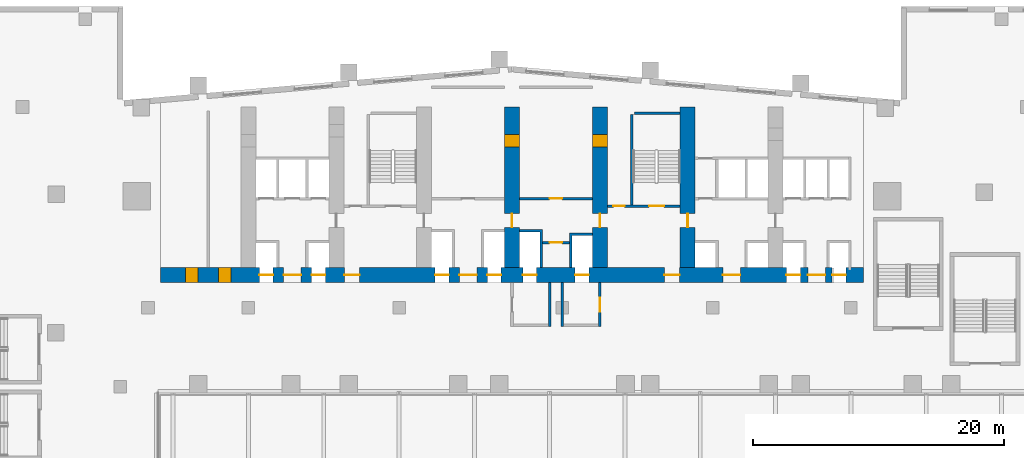
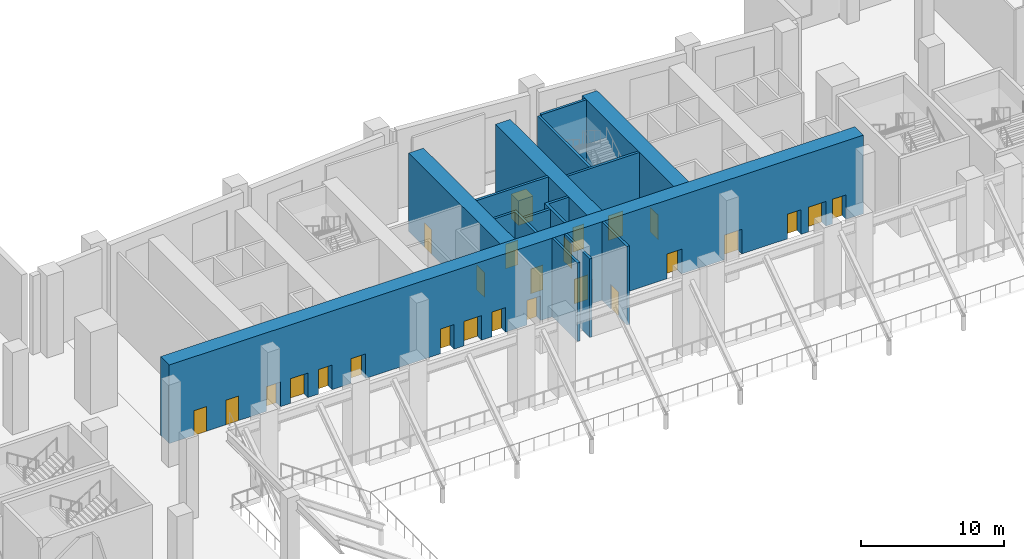
# One storey, part 25 of 41: 26 doors, 14 walls, 26 openings.
"""IFC4 building model written with IfcOpenShell, lengths in metres."""

import ifcopenshell
import ifcopenshell.guid

model = None  # the IFC model being written
_history = None  # IfcOwnerHistory: only IFC2X3 demands one
_inside = {}  # id of a spatial element -> (the spatial element, [elements in it])
_under = {}  # id of a project, library or spatial element -> (it, [spatial elements below it])
_declared = {}  # id of a project -> (the project, [libraries it declares])
_typed = {}  # id of a type object -> (the type object, [elements of that type])
_made_of = {}  # id of a material, layer set ... -> (it, [elements and type objects made of it])


def new_model(schema):
    """Start an empty IFC model of exactly this schema.

    Asked for "IFC4X3", IfcOpenShell would pick the latest addendum, in which some entities
    have other attributes; the version numbers below select the first issue.
    IFC2X3 requires an IfcOwnerHistory on every rooted entity: one is made here for all.
    """
    global model, _history
    if schema == "IFC4X3":
        model = ifcopenshell.file(schema_version=(4, 3, 0, 0))
    else:
        model = ifcopenshell.file(schema=schema)
    _inside.clear()
    _under.clear()
    _declared.clear()
    _typed.clear()
    _made_of.clear()
    _history = None
    if model.schema == "IFC2X3":
        org = make("IfcOrganization", Name="unknown")
        user = make(
            "IfcPersonAndOrganization",
            ThePerson=make("IfcPerson", FamilyName="unknown"),
            TheOrganization=org,
        )
        app = make(
            "IfcApplication",
            ApplicationDeveloper=org,
            Version="unknown",
            ApplicationFullName="unknown",
            ApplicationIdentifier="unknown",
        )
        _history = make(
            "IfcOwnerHistory",
            OwningUser=user,
            OwningApplication=app,
            ChangeAction="ADDED",
            CreationDate=0,
        )
    return model


def make(cls, **values):
    """One entity of the class cls with the attributes given. An attribute that is None is left unset."""
    return model.create_entity(
        cls, **{name: value for name, value in values.items() if value is not None}
    )


def rooted(cls, **values):
    """An entity with a GlobalId (a new one), such as an element, a storey or a relation."""
    return make(cls, GlobalId=ifcopenshell.guid.new(), OwnerHistory=_history, **values)


def si_unit(unit_type, name, prefix=None):
    """IfcSIUnit, for example si_unit("LENGTHUNIT", "METRE", prefix="MILLI")."""
    return make("IfcSIUnit", UnitType=unit_type, Prefix=prefix, Name=name)


def assignment(units):
    """IfcUnitAssignment: the units of a project."""
    return None if units is None else make("IfcUnitAssignment", Units=units)


def point(xyz):
    """IfcCartesianPoint."""
    return None if xyz is None else make("IfcCartesianPoint", Coordinates=xyz)


def direction(xyz):
    """IfcDirection."""
    return None if xyz is None else make("IfcDirection", DirectionRatios=xyz)


def frame(location, z_axis=None, x_axis=None):
    """IfcAxis2Placement3D, a coordinate frame: its origin and axes. An axis left out is left unset."""
    return make(
        "IfcAxis2Placement3D",
        Location=point(location),
        Axis=direction(z_axis),
        RefDirection=direction(x_axis),
    )


def frame_2d(location, x_axis=None):
    """IfcAxis2Placement2D, a coordinate frame in the plane: its origin and x axis."""
    return make(
        "IfcAxis2Placement2D", Location=point(location), RefDirection=direction(x_axis)
    )


def origin():
    """The frame at (0, 0, 0) with its axes left unset."""
    return frame((0.0, 0.0, 0.0))


def place(relative_to, where):
    """IfcLocalPlacement: puts the frame where relative to a parent placement (None: the world)."""
    return make(
        "IfcLocalPlacement", PlacementRelTo=relative_to, RelativePlacement=where
    )


def context(
    kind, dimensions, precision=None, world=None, true_north=None, identifier=None
):
    """IfcGeometricRepresentationContext, for example the 3D "Model" context."""
    return make(
        "IfcGeometricRepresentationContext",
        ContextIdentifier=identifier,
        ContextType=kind,
        CoordinateSpaceDimension=dimensions,
        Precision=precision,
        WorldCoordinateSystem=world,
        TrueNorth=true_north,
    )


def subcontext(parent, identifier, kind, view, scale=None):
    """IfcGeometricRepresentationSubContext, for example "Body" below "Model"."""
    return make(
        "IfcGeometricRepresentationSubContext",
        ContextIdentifier=identifier,
        ContextType=kind,
        ParentContext=parent,
        TargetScale=scale,
        TargetView=view,
    )


def project(units=None, contexts=None):
    """IfcProject with its units and contexts."""
    return rooted(
        "IfcProject",
        Name="project",
        RepresentationContexts=contexts,
        UnitsInContext=assignment(units),
    )


def spatial(cls, under=None, at=None, **own):
    """A site, building, storey or space (cls), placed at a placement, below another one or the project."""
    s = rooted(cls, ObjectPlacement=at, **own)
    if under is not None:
        _under.setdefault(under.id(), (under, []))[1].append(s)
    return s


def polyline(points):
    """IfcPolyline through the points."""
    return make("IfcPolyline", Points=[point(p) for p in points])


def profile(cls, at=None, kind="AREA", **sizes):
    """A parametric profile (cls). Its sizes go by their IFC names, for example OverallWidth=200.0."""
    return make(cls, ProfileType=kind, Position=at, **sizes)


def rectangle(**sizes):
    """IfcRectangleProfileDef."""
    return profile("IfcRectangleProfileDef", **sizes)


def outline(outer, holes=None, kind="AREA"):
    """IfcArbitraryClosedProfileDef: a profile drawn as a closed curve; with holes, ...WithVoids."""
    if holes is None:
        return make("IfcArbitraryClosedProfileDef", ProfileType=kind, OuterCurve=outer)
    return make(
        "IfcArbitraryProfileDefWithVoids",
        ProfileType=kind,
        OuterCurve=outer,
        InnerCurves=holes,
    )


def extrude(swept, where, along, depth):
    """IfcExtrudedAreaSolid: the profile swept, set in the frame where, extruded along a direction by depth."""
    return make(
        "IfcExtrudedAreaSolid",
        SweptArea=swept,
        Position=where,
        ExtrudedDirection=direction(along),
        Depth=depth,
    )


def shape(context_of_items, identifier, shape_type, items):
    """IfcShapeRepresentation: the items that make up one representation, for example the "Body"."""
    return make(
        "IfcShapeRepresentation",
        ContextOfItems=context_of_items,
        RepresentationIdentifier=identifier,
        RepresentationType=shape_type,
        Items=items,
    )


def material(Name=None, Category=None):
    """IfcMaterial."""
    return make("IfcMaterial", Name=Name, Category=Category)


def layer(
    of_material, thickness, ventilated=None, Name=None, Category=None, Priority=None
):
    """IfcMaterialLayer: one layer of a wall or slab, of a material (None: an air gap)."""
    return make(
        "IfcMaterialLayer",
        Material=of_material,
        LayerThickness=thickness,
        IsVentilated=ventilated,
        Name=Name,
        Category=Category,
        Priority=Priority,
    )


def layer_set(layers, Name=None):
    """IfcMaterialLayerSet."""
    return make("IfcMaterialLayerSet", MaterialLayers=layers, LayerSetName=Name)


def made_of(thing, what):
    """Note that an element or type object is made of a material, layer set ...; save() writes the relation."""
    if what is not None:
        _made_of.setdefault(what.id(), (what, []))[1].append(thing)
    return thing


def type_object(cls, material=None, **own):
    """A type object (cls), such as IfcWallType, which elements share."""
    return made_of(rooted(cls, **own), material)


def element(
    cls,
    number,
    at=None,
    inside=None,
    cuts=None,
    type_object=None,
    material=None,
    context=None,
    identifier="Body",
    shape_type=None,
    held_by="IfcProductDefinitionShape",
    body=None,
    shapes=None,
    **own,
):
    """One element of the class cls, such as IfcWall. Its Tag is "e" and its number.

    at: its placement. inside: the storey or other place that contains it. cuts: it is an
    opening in that element (IfcRelVoidsElement). A single representation is given by context,
    identifier, shape_type and body (its items); several are given by shapes. held_by: the class
    of the entity that holds the representations. save() writes the other relations.
    """
    e = rooted(cls, Tag="e%d" % number, ObjectPlacement=at, **own)
    if body is not None:
        shapes = [shape(context, identifier, shape_type, body)]
    if shapes is not None:
        e.Representation = make(held_by, Representations=shapes)
    if inside is not None:
        _inside.setdefault(inside.id(), (inside, []))[1].append(e)
    if cuts is not None:
        rooted(
            "IfcRelVoidsElement", RelatingBuildingElement=cuts, RelatedOpeningElement=e
        )
    if type_object is not None:
        _typed.setdefault(type_object.id(), (type_object, []))[1].append(e)
    return made_of(e, material)


def fill(opening, filler):
    """IfcRelFillsElement: the door or window that sits in an opening."""
    return rooted(
        "IfcRelFillsElement",
        RelatingOpeningElement=opening,
        RelatedBuildingElement=filler,
    )


def aggregate(whole, parts):
    """IfcRelAggregates: a whole, such as a stair, and the parts it consists of."""
    return rooted("IfcRelAggregates", RelatingObject=whole, RelatedObjects=parts)


def save(model, path):
    """Write the relations noted so far, then the file.

    IfcRelAggregates (storeys below a building ...), IfcRelContainedInSpatialStructure (elements
    in a storey), IfcRelDefinesByType, IfcRelAssociatesMaterial and IfcRelDeclares: one each for
    every whole, place, type object, material and project.
    """
    for whole, parts in _under.values():
        aggregate(whole, parts)
    for where, things in _inside.values():
        rooted(
            "IfcRelContainedInSpatialStructure",
            RelatedElements=things,
            RelatingStructure=where,
        )
    for kind, things in _typed.values():
        rooted("IfcRelDefinesByType", RelatedObjects=things, RelatingType=kind)
    for what, things in _made_of.values():
        rooted("IfcRelAssociatesMaterial", RelatedObjects=things, RelatingMaterial=what)
    for by, libraries in _declared.values():
        rooted("IfcRelDeclares", RelatingContext=by, RelatedDefinitions=libraries)
    model.write(path)


model = new_model("IFC4")

# Units and contexts
model_context = context("Model", 3, precision=1e-05, world=origin(), true_north=direction((0.0, 1.0)))
body_context = subcontext(model_context, "Body", "Model", "MODEL_VIEW")
ifc_project = project(units=[si_unit("LENGTHUNIT", "METRE"), si_unit("AREAUNIT", "SQUARE_METRE"), si_unit("VOLUMEUNIT", "CUBIC_METRE"), si_unit("PLANEANGLEUNIT", "RADIAN"), si_unit("MASSUNIT", "GRAM", prefix="KILO")], contexts=[model_context])

# Site, building, storey
site_placement = place(None, origin())
site = spatial("IfcSite", under=ifc_project, at=site_placement, CompositionType="ELEMENT")
building_placement = place(site_placement, origin())
building = spatial("IfcBuilding", under=site, at=building_placement, Name="Wharfspan Tower", CompositionType="ELEMENT")
storey_placement = place(building_placement, frame((0.0, 0.0, 8.0)))
storey = spatial("IfcBuildingStorey", under=building, at=storey_placement, Name="L01", CompositionType="ELEMENT", Elevation=8.0)

# Wall, opening, door
ifc_material_1 = material(Name="Calcium silicate masonry", Category="masonry")
ifc_layer_1 = layer(ifc_material_1, 0.199951)
ifc_layer_set_1 = layer_set([ifc_layer_1], Name="Calcium silicate masonry")
wall_type_1 = type_object("IfcWallType", Name="Core room wall 200", PredefinedType="PARTITIONING", material=ifc_layer_set_1)
wall_1_placement = place(storey_placement, frame((39.43335, 37.199951, 0.0), z_axis=(0.0, 0.0, 1.0), x_axis=(1.0, 0.0, 0.0)))
wall_1 = element("IfcWall", 1, at=wall_1_placement, inside=storey, type_object=wall_type_1, Name="sw:L01:FR4.2", PredefinedType="PARTITIONING", context=body_context, shape_type="SweptSolid", body=[
    extrude(rectangle(XDim=2.133301, YDim=0.199951, at=frame_2d((1.06665, 0.0))), origin(), (0.0, 0.0, 1.0), 6.699951),
])
opening_1_placement = place(wall_1_placement, frame((0.56665, 0.0, 0.0)))
opening_1 = element("IfcOpeningElement", 2, at=opening_1_placement, cuts=wall_1, Name="Opening CD01.4H2", PredefinedType="OPENING", context=body_context, shape_type="SweptSolid", body=[
    extrude(rectangle(XDim=1.0, YDim=2.100098, at=frame_2d((0.5, 1.050049))), frame((0.0, 0.109863, 0.0), z_axis=(0.0, -1.0, 0.0), x_axis=(1.0, 0.0, 0.0)), (0.0, 0.0, 1.0), 0.219971),
])
ifc_material_2 = material(Name="Steel door leaf", Category="steel")
door_type_1 = type_object("IfcDoorType", Name="Core room door 1000x2100", OperationType="SINGLE_SWING_LEFT", PredefinedType="DOOR", material=ifc_material_2)
door_1_placement = place(opening_1_placement, origin())
door_1 = element("IfcDoor", 3, at=door_1_placement, inside=storey, type_object=door_type_1, Name="d:L01:4:fh4.2", OperationType="SINGLE_SWING_RIGHT", OverallHeight=2.100098, OverallWidth=1.0, PredefinedType="DOOR", context=body_context, shape_type="SweptSolid", body=[
    extrude(rectangle(XDim=1.0, YDim=2.100098, at=frame_2d((0.5, 1.050049))), frame((0.0, 0.024902, 0.0), z_axis=(0.0, -1.0, 0.0), x_axis=(1.0, 0.0, 0.0)), (0.0, 0.0, 1.0), 0.050049),
])
fill(opening_1, door_1)

# Wall, openings, doors
ifc_material_3 = material(Name="Concrete C70/85", Category="concrete")
ifc_layer_2 = layer(ifc_material_3, 1.199951)
ifc_layer_set_2 = layer_set([ifc_layer_2], Name="Concrete C70/85")
wall_type_2 = type_object("IfcWallType", Name="Core wall fallback 1.2", PredefinedType="SHEAR", material=ifc_layer_set_2)
wall_2_placement = place(storey_placement, frame((9.0, 34.600098, 0.0), z_axis=(0.0, 0.0, 1.0), x_axis=(1.0, 0.0, 0.0)))
wall_2 = element("IfcWall", 4, at=wall_2_placement, inside=storey, type_object=wall_type_2, Name="cw:L01:FW", PredefinedType="SHEAR", context=body_context, shape_type="SweptSolid", body=[
    extrude(rectangle(XDim=56.0, YDim=1.199951, at=frame_2d((28.0, 0.0))), origin(), (0.0, 0.0, 1.0), 6.699951),
])
opening_2_placement = place(wall_2_placement, frame((2.0, 0.0, 0.0)))
opening_2 = element("IfcOpeningElement", 5, at=opening_2_placement, cuts=wall_2, Name="Opening CD01.01", PredefinedType="OPENING", context=body_context, shape_type="SweptSolid", body=[
    extrude(rectangle(XDim=1.0, YDim=2.100098, at=frame_2d((0.5, 1.050049))), frame((0.0, 0.609863, 0.0), z_axis=(0.0, -1.0, 0.0), x_axis=(1.0, 0.0, 0.0)), (0.0, 0.0, 1.0), 1.219971),
])
opening_3_placement = place(wall_2_placement, frame((4.600098, 0.0, 0.0)))
opening_3 = element("IfcOpeningElement", 6, at=opening_3_placement, cuts=wall_2, Name="Opening CD01.02", PredefinedType="OPENING", context=body_context, shape_type="SweptSolid", body=[
    extrude(rectangle(XDim=1.0, YDim=2.100098, at=frame_2d((0.5, 1.050049))), frame((0.0, 0.609863, 0.0), z_axis=(0.0, -1.0, 0.0), x_axis=(1.0, 0.0, 0.0)), (0.0, 0.0, 1.0), 1.219971),
])
opening_4_placement = place(wall_2_placement, frame((7.866699, 0.0, 0.0)))
opening_4 = element("IfcOpeningElement", 7, at=opening_4_placement, cuts=wall_2, Name="Opening LD.LA1.L01", PredefinedType="OPENING", context=body_context, shape_type="SweptSolid", body=[
    extrude(rectangle(XDim=1.100098, YDim=2.100098, at=frame_2d((0.550049, 1.050049))), frame((0.0, 0.609863, 0.0), z_axis=(0.0, -1.0, 0.0), x_axis=(1.0, 0.0, 0.0)), (0.0, 0.0, 1.0), 1.219971),
])
opening_5_placement = place(wall_2_placement, frame((12.033203, 0.0, 0.0)))
opening_5 = element("IfcOpeningElement", 8, at=opening_5_placement, cuts=wall_2, Name="Opening LD.LA2.L01", PredefinedType="OPENING", context=body_context, shape_type="SweptSolid", body=[
    extrude(rectangle(XDim=1.100098, YDim=2.100098, at=frame_2d((0.550049, 1.050049))), frame((0.0, 0.609863, 0.0), z_axis=(0.0, -1.0, 0.0), x_axis=(1.0, 0.0, 0.0)), (0.0, 0.0, 1.0), 1.219971),
])
opening_6_placement = place(wall_2_placement, frame((9.800049, 0.0, 0.0)))
opening_6 = element("IfcOpeningElement", 9, at=opening_6_placement, cuts=wall_2, Name="Opening HD01.1", PredefinedType="OPENING", context=body_context, shape_type="SweptSolid", body=[
    extrude(rectangle(XDim=1.399902, YDim=2.100098, at=frame_2d((0.699951, 1.050049))), frame((0.0, 0.609863, 0.0), z_axis=(0.0, -1.0, 0.0), x_axis=(1.0, 0.0, 0.0)), (0.0, 0.0, 1.0), 1.219971),
])
opening_7_placement = place(wall_2_placement, frame((14.649902, 0.0, 0.0)))
opening_7 = element("IfcOpeningElement", 10, at=opening_7_placement, cuts=wall_2, Name="Opening SV2.L01", PredefinedType="OPENING", context=body_context, shape_type="SweptSolid", body=[
    extrude(rectangle(XDim=1.199951, YDim=2.100098, at=frame_2d((0.600098, 1.050049))), frame((0.0, 0.609863, 0.0), z_axis=(0.0, -1.0, 0.0), x_axis=(1.0, 0.0, 0.0)), (0.0, 0.0, 1.0), 1.219971),
])
opening_8_placement = place(wall_2_placement, frame((21.866699, 0.0, 0.0)))
opening_8 = element("IfcOpeningElement", 11, at=opening_8_placement, cuts=wall_2, Name="Opening LD.SL1.L01", PredefinedType="OPENING", context=body_context, shape_type="SweptSolid", body=[
    extrude(rectangle(XDim=1.100098, YDim=2.100098, at=frame_2d((0.550049, 1.050049))), frame((0.0, 0.609863, 0.0), z_axis=(0.0, -1.0, 0.0), x_axis=(1.0, 0.0, 0.0)), (0.0, 0.0, 1.0), 1.219971),
])
opening_9_placement = place(wall_2_placement, frame((26.033203, 0.0, 0.0)))
opening_9 = element("IfcOpeningElement", 12, at=opening_9_placement, cuts=wall_2, Name="Opening LD.SL2.L01", PredefinedType="OPENING", context=body_context, shape_type="SweptSolid", body=[
    extrude(rectangle(XDim=1.100098, YDim=2.100098, at=frame_2d((0.550049, 1.050049))), frame((0.0, 0.609863, 0.0), z_axis=(0.0, -1.0, 0.0), x_axis=(1.0, 0.0, 0.0)), (0.0, 0.0, 1.0), 1.219971),
])
opening_10_placement = place(wall_2_placement, frame((23.800049, 0.0, 0.0)))
opening_10 = element("IfcOpeningElement", 13, at=opening_10_placement, cuts=wall_2, Name="Opening HD01.3", PredefinedType="OPENING", context=body_context, shape_type="SweptSolid", body=[
    extrude(rectangle(XDim=1.399902, YDim=2.100098, at=frame_2d((0.699951, 1.050049))), frame((0.0, 0.609863, 0.0), z_axis=(0.0, -1.0, 0.0), x_axis=(1.0, 0.0, 0.0)), (0.0, 0.0, 1.0), 1.219971),
])
opening_11_placement = place(wall_2_placement, frame((28.866699, 0.0, 0.0)))
opening_11 = element("IfcOpeningElement", 14, at=opening_11_placement, cuts=wall_2, Name="Opening LD.FF1.L01", PredefinedType="OPENING", context=body_context, shape_type="SweptSolid", body=[
    extrude(rectangle(XDim=1.100098, YDim=2.100098, at=frame_2d((0.550049, 1.050049))), frame((0.0, 0.609863, 0.0), z_axis=(0.0, -1.0, 0.0), x_axis=(1.0, 0.0, 0.0)), (0.0, 0.0, 1.0), 1.219971),
])
opening_12_placement = place(wall_2_placement, frame((33.033203, 0.0, 0.0)))
opening_12 = element("IfcOpeningElement", 15, at=opening_12_placement, cuts=wall_2, Name="Opening LD.FF2.L01", PredefinedType="OPENING", context=body_context, shape_type="SweptSolid", body=[
    extrude(rectangle(XDim=1.100098, YDim=2.100098, at=frame_2d((0.550049, 1.050049))), frame((0.0, 0.609863, 0.0), z_axis=(0.0, -1.0, 0.0), x_axis=(1.0, 0.0, 0.0)), (0.0, 0.0, 1.0), 1.219971),
])
opening_13_placement = place(wall_2_placement, frame((40.149902, 0.0, 0.0)))
opening_13 = element("IfcOpeningElement", 16, at=opening_13_placement, cuts=wall_2, Name="Opening SV5.L01", PredefinedType="OPENING", context=body_context, shape_type="SweptSolid", body=[
    extrude(rectangle(XDim=1.199951, YDim=2.100098, at=frame_2d((0.600098, 1.050049))), frame((0.0, 0.609863, 0.0), z_axis=(0.0, -1.0, 0.0), x_axis=(1.0, 0.0, 0.0)), (0.0, 0.0, 1.0), 1.219971),
])
opening_14_placement = place(wall_2_placement, frame((44.800049, 0.0, 0.0)))
opening_14 = element("IfcOpeningElement", 17, at=opening_14_placement, cuts=wall_2, Name="Opening HD01.6", PredefinedType="OPENING", context=body_context, shape_type="SweptSolid", body=[
    extrude(rectangle(XDim=1.399902, YDim=2.100098, at=frame_2d((0.699951, 1.050049))), frame((0.0, 0.609863, 0.0), z_axis=(0.0, -1.0, 0.0), x_axis=(1.0, 0.0, 0.0)), (0.0, 0.0, 1.0), 1.219971),
])
opening_15_placement = place(wall_2_placement, frame((49.866699, 0.0, 0.0)))
opening_15 = element("IfcOpeningElement", 18, at=opening_15_placement, cuts=wall_2, Name="Opening LD.LA6.L01", PredefinedType="OPENING", context=body_context, shape_type="SweptSolid", body=[
    extrude(rectangle(XDim=1.100098, YDim=2.100098, at=frame_2d((0.550049, 1.050049))), frame((0.0, 0.609863, 0.0), z_axis=(0.0, -1.0, 0.0), x_axis=(1.0, 0.0, 0.0)), (0.0, 0.0, 1.0), 1.219971),
])
opening_16_placement = place(wall_2_placement, frame((53.5, 0.0, 0.0)))
opening_16 = element("IfcOpeningElement", 19, at=opening_16_placement, cuts=wall_2, Name="Opening LD.LA7.L01", PredefinedType="OPENING", context=body_context, shape_type="SweptSolid", body=[
    extrude(rectangle(XDim=1.100098, YDim=2.100098, at=frame_2d((0.550049, 1.050049))), frame((0.0, 0.609863, 0.0), z_axis=(0.0, -1.0, 0.0), x_axis=(1.0, 0.0, 0.0)), (0.0, 0.0, 1.0), 1.219971),
])
opening_17_placement = place(wall_2_placement, frame((51.56665, 0.0, 0.0)))
opening_17 = element("IfcOpeningElement", 20, at=opening_17_placement, cuts=wall_2, Name="Opening HD01.7", PredefinedType="OPENING", context=body_context, shape_type="SweptSolid", body=[
    extrude(rectangle(XDim=1.399902, YDim=2.100098, at=frame_2d((0.699951, 1.050049))), frame((0.0, 0.609863, 0.0), z_axis=(0.0, -1.0, 0.0), x_axis=(1.0, 0.0, 0.0)), (0.0, 0.0, 1.0), 1.219971),
])
door_2_placement = place(opening_2_placement, origin())
door_2 = element("IfcDoor", 21, at=door_2_placement, inside=storey, type_object=door_type_1, Name="d:L01:0:rf", OperationType="SINGLE_SWING_LEFT", OverallHeight=2.100098, OverallWidth=1.0, PredefinedType="DOOR", context=body_context, shape_type="SweptSolid", body=[
    extrude(rectangle(XDim=1.0, YDim=2.100098, at=frame_2d((0.5, 1.050049))), frame((0.0, 0.599609, 0.0), z_axis=(0.0, -1.0, 0.0), x_axis=(1.0, 0.0, 0.0)), (0.0, 0.0, 1.0), 1.199463),
])
fill(opening_2, door_2)
door_3_placement = place(opening_3_placement, origin())
door_3 = element("IfcDoor", 22, at=door_3_placement, inside=storey, type_object=door_type_1, Name="d:L01:0:rr", OperationType="SINGLE_SWING_RIGHT", OverallHeight=2.100098, OverallWidth=1.0, PredefinedType="DOOR", context=body_context, shape_type="SweptSolid", body=[
    extrude(rectangle(XDim=1.0, YDim=2.100098, at=frame_2d((0.5, 1.050049))), frame((0.0, 0.599609, 0.0), z_axis=(0.0, -1.0, 0.0), x_axis=(1.0, 0.0, 0.0)), (0.0, 0.0, 1.0), 1.199463),
])
fill(opening_3, door_3)
door_type_2 = type_object("IfcDoorType", Name="Hall entry door 1400x2100", OperationType="DOUBLE_DOOR_SINGLE_SWING", PredefinedType="DOOR", material=ifc_material_2)
door_4_placement = place(opening_6_placement, origin())
door_4 = element("IfcDoor", 23, at=door_4_placement, inside=storey, type_object=door_type_2, Name="d:L01:1:hd1", OperationType="DOUBLE_DOOR_SINGLE_SWING", OverallHeight=2.100098, OverallWidth=1.399902, PredefinedType="DOOR", context=body_context, shape_type="SweptSolid", body=[
    extrude(rectangle(XDim=1.399902, YDim=2.100098, at=frame_2d((0.699951, 1.050049))), frame((0.0, 0.024902, 0.0), z_axis=(0.0, -1.0, 0.0), x_axis=(1.0, 0.0, 0.0)), (0.0, 0.0, 1.0), 0.050049),
])
fill(opening_6, door_4)
door_5_placement = place(opening_10_placement, origin())
door_5 = element("IfcDoor", 24, at=door_5_placement, inside=storey, type_object=door_type_2, Name="d:L01:3:hd3", OperationType="DOUBLE_DOOR_SINGLE_SWING", OverallHeight=2.100098, OverallWidth=1.399902, PredefinedType="DOOR", context=body_context, shape_type="SweptSolid", body=[
    extrude(rectangle(XDim=1.399902, YDim=2.100098, at=frame_2d((0.699951, 1.050049))), frame((0.0, 0.024902, 0.0), z_axis=(0.0, -1.0, 0.0), x_axis=(1.0, 0.0, 0.0)), (0.0, 0.0, 1.0), 0.050049),
])
fill(opening_10, door_5)
door_6_placement = place(opening_14_placement, origin())
door_6 = element("IfcDoor", 25, at=door_6_placement, inside=storey, type_object=door_type_2, Name="d:L01:6:hd6", OperationType="DOUBLE_DOOR_SINGLE_SWING", OverallHeight=2.100098, OverallWidth=1.399902, PredefinedType="DOOR", context=body_context, shape_type="SweptSolid", body=[
    extrude(rectangle(XDim=1.399902, YDim=2.100098, at=frame_2d((0.699951, 1.050049))), frame((0.0, 0.024902, 0.0), z_axis=(0.0, -1.0, 0.0), x_axis=(1.0, 0.0, 0.0)), (0.0, 0.0, 1.0), 0.050049),
])
fill(opening_14, door_6)
door_7_placement = place(opening_17_placement, origin())
door_7 = element("IfcDoor", 26, at=door_7_placement, inside=storey, type_object=door_type_2, Name="d:L01:7:hd7", OperationType="DOUBLE_DOOR_SINGLE_SWING", OverallHeight=2.100098, OverallWidth=1.399902, PredefinedType="DOOR", context=body_context, shape_type="SweptSolid", body=[
    extrude(rectangle(XDim=1.399902, YDim=2.100098, at=frame_2d((0.699951, 1.050049))), frame((0.0, 0.024902, 0.0), z_axis=(0.0, -1.0, 0.0), x_axis=(1.0, 0.0, 0.0)), (0.0, 0.0, 1.0), 0.050049),
])
fill(opening_17, door_7)
ifc_material_4 = material(Name="Stainless steel", Category="steel")
door_type_3 = type_object("IfcDoorType", Name="Lift landing door 1100x2100", OperationType="DOUBLE_DOOR_SLIDING", PredefinedType="DOOR", material=ifc_material_4)
door_8_placement = place(opening_4_placement, origin())
door_8 = element("IfcDoor", 27, at=door_8_placement, inside=storey, type_object=door_type_3, Name="Landing door LA1 L01", OperationType="DOUBLE_DOOR_SLIDING", OverallHeight=2.100098, OverallWidth=1.100098, PredefinedType="DOOR", context=body_context, shape_type="SweptSolid", body=[
    extrude(rectangle(XDim=1.100098, YDim=2.100098, at=frame_2d((0.550049, 1.050049))), frame((0.0, 0.024902, 0.0), z_axis=(0.0, -1.0, 0.0), x_axis=(1.0, 0.0, 0.0)), (0.0, 0.0, 1.0), 0.050049),
])
fill(opening_4, door_8)
door_9_placement = place(opening_5_placement, origin())
door_9 = element("IfcDoor", 28, at=door_9_placement, inside=storey, type_object=door_type_3, Name="Landing door LA2 L01", OperationType="DOUBLE_DOOR_SLIDING", OverallHeight=2.100098, OverallWidth=1.100098, PredefinedType="DOOR", context=body_context, shape_type="SweptSolid", body=[
    extrude(rectangle(XDim=1.100098, YDim=2.100098, at=frame_2d((0.550049, 1.050049))), frame((0.0, 0.024902, 0.0), z_axis=(0.0, -1.0, 0.0), x_axis=(1.0, 0.0, 0.0)), (0.0, 0.0, 1.0), 0.050049),
])
fill(opening_5, door_9)
door_10_placement = place(opening_8_placement, origin())
door_10 = element("IfcDoor", 29, at=door_10_placement, inside=storey, type_object=door_type_3, Name="Landing door SL1 L01", OperationType="DOUBLE_DOOR_SLIDING", OverallHeight=2.100098, OverallWidth=1.100098, PredefinedType="DOOR", context=body_context, shape_type="SweptSolid", body=[
    extrude(rectangle(XDim=1.100098, YDim=2.100098, at=frame_2d((0.550049, 1.050049))), frame((0.0, 0.024902, 0.0), z_axis=(0.0, -1.0, 0.0), x_axis=(1.0, 0.0, 0.0)), (0.0, 0.0, 1.0), 0.050049),
])
fill(opening_8, door_10)
door_11_placement = place(opening_9_placement, origin())
door_11 = element("IfcDoor", 30, at=door_11_placement, inside=storey, type_object=door_type_3, Name="Landing door SL2 L01", OperationType="DOUBLE_DOOR_SLIDING", OverallHeight=2.100098, OverallWidth=1.100098, PredefinedType="DOOR", context=body_context, shape_type="SweptSolid", body=[
    extrude(rectangle(XDim=1.100098, YDim=2.100098, at=frame_2d((0.550049, 1.050049))), frame((0.0, 0.024902, 0.0), z_axis=(0.0, -1.0, 0.0), x_axis=(1.0, 0.0, 0.0)), (0.0, 0.0, 1.0), 0.050049),
])
fill(opening_9, door_11)
door_12_placement = place(opening_11_placement, origin())
door_12 = element("IfcDoor", 31, at=door_12_placement, inside=storey, type_object=door_type_3, Name="Landing door FF1 L01", OperationType="DOUBLE_DOOR_SLIDING", OverallHeight=2.100098, OverallWidth=1.100098, PredefinedType="DOOR", context=body_context, shape_type="SweptSolid", body=[
    extrude(rectangle(XDim=1.100098, YDim=2.100098, at=frame_2d((0.550049, 1.050049))), frame((0.0, 0.024902, 0.0), z_axis=(0.0, -1.0, 0.0), x_axis=(1.0, 0.0, 0.0)), (0.0, 0.0, 1.0), 0.050049),
])
fill(opening_11, door_12)
door_13_placement = place(opening_12_placement, origin())
door_13 = element("IfcDoor", 32, at=door_13_placement, inside=storey, type_object=door_type_3, Name="Landing door FF2 L01", OperationType="DOUBLE_DOOR_SLIDING", OverallHeight=2.100098, OverallWidth=1.100098, PredefinedType="DOOR", context=body_context, shape_type="SweptSolid", body=[
    extrude(rectangle(XDim=1.100098, YDim=2.100098, at=frame_2d((0.550049, 1.050049))), frame((0.0, 0.024902, 0.0), z_axis=(0.0, -1.0, 0.0), x_axis=(1.0, 0.0, 0.0)), (0.0, 0.0, 1.0), 0.050049),
])
fill(opening_12, door_13)
door_14_placement = place(opening_15_placement, origin())
door_14 = element("IfcDoor", 33, at=door_14_placement, inside=storey, type_object=door_type_3, Name="Landing door LA6 L01", OperationType="DOUBLE_DOOR_SLIDING", OverallHeight=2.100098, OverallWidth=1.100098, PredefinedType="DOOR", context=body_context, shape_type="SweptSolid", body=[
    extrude(rectangle(XDim=1.100098, YDim=2.100098, at=frame_2d((0.550049, 1.050049))), frame((0.0, 0.024902, 0.0), z_axis=(0.0, -1.0, 0.0), x_axis=(1.0, 0.0, 0.0)), (0.0, 0.0, 1.0), 0.050049),
])
fill(opening_15, door_14)
door_15_placement = place(opening_16_placement, origin())
door_15 = element("IfcDoor", 34, at=door_15_placement, inside=storey, type_object=door_type_3, Name="Landing door LA7 L01", OperationType="DOUBLE_DOOR_SLIDING", OverallHeight=2.100098, OverallWidth=1.100098, PredefinedType="DOOR", context=body_context, shape_type="SweptSolid", body=[
    extrude(rectangle(XDim=1.100098, YDim=2.100098, at=frame_2d((0.550049, 1.050049))), frame((0.0, 0.024902, 0.0), z_axis=(0.0, -1.0, 0.0), x_axis=(1.0, 0.0, 0.0)), (0.0, 0.0, 1.0), 0.050049),
])
fill(opening_16, door_15)
door_type_4 = type_object("IfcDoorType", Name="Stair door 1200x2100", OperationType="SINGLE_SWING_LEFT", PredefinedType="DOOR", material=ifc_material_2)
door_16_placement = place(opening_7_placement, origin())
door_16 = element("IfcDoor", 35, at=door_16_placement, inside=storey, type_object=door_type_4, Name="vd:L01:2", OperationType="SINGLE_SWING_LEFT", OverallHeight=2.100098, OverallWidth=1.199951, PredefinedType="DOOR", context=body_context, shape_type="SweptSolid", body=[
    extrude(rectangle(XDim=1.199951, YDim=2.100098, at=frame_2d((0.600098, 1.050049))), frame((0.0, 0.024902, 0.0), z_axis=(0.0, -1.0, 0.0), x_axis=(1.0, 0.0, 0.0)), (0.0, 0.0, 1.0), 0.050049),
])
fill(opening_7, door_16)
door_17_placement = place(opening_13_placement, origin())
door_17 = element("IfcDoor", 36, at=door_17_placement, inside=storey, type_object=door_type_4, Name="vd:L01:5", OperationType="SINGLE_SWING_LEFT", OverallHeight=2.100098, OverallWidth=1.199951, PredefinedType="DOOR", context=body_context, shape_type="SweptSolid", body=[
    extrude(rectangle(XDim=1.199951, YDim=2.100098, at=frame_2d((0.600098, 1.050049))), frame((0.0, 0.024902, 0.0), z_axis=(0.0, -1.0, 0.0), x_axis=(1.0, 0.0, 0.0)), (0.0, 0.0, 1.0), 0.050049),
])
fill(opening_13, door_17)

wall_3_placement = place(storey_placement, frame((37.0, 35.199951, 0.0), z_axis=(0.0, 0.0, 1.0), x_axis=(0.0, 1.0, 0.0)))
wall_3 = element("IfcWall", 37, at=wall_3_placement, inside=storey, type_object=wall_type_2, Name="cw:L01:X4", PredefinedType="SHEAR", context=body_context, shape_type="SweptSolid", body=[
    extrude(rectangle(XDim=12.800049, YDim=1.199951, at=frame_2d((6.399902, 0.0))), origin(), (0.0, 0.0, 1.0), 6.699951),
])
opening_18_placement = place(wall_3_placement, frame((3.199951, 0.0, 0.0)))
opening_18 = element("IfcOpeningElement", 38, at=opening_18_placement, cuts=wall_3, Name="Opening CC01.4", PredefinedType="OPENING", context=body_context, shape_type="SweptSolid", body=[
    extrude(rectangle(XDim=1.100098, YDim=2.100098, at=frame_2d((0.550049, 1.050049))), frame((0.0, 0.609863, 0.0), z_axis=(0.0, -1.0, 0.0), x_axis=(1.0, 0.0, 0.0)), (0.0, 0.0, 1.0), 1.219971),
])
opening_19_placement = place(wall_3_placement, frame((9.600098, 0.0, 0.0)))
opening_19 = element("IfcOpeningElement", 39, at=opening_19_placement, cuts=wall_3, Name="Opening CR01.4", PredefinedType="OPENING", context=body_context, shape_type="SweptSolid", body=[
    extrude(rectangle(XDim=1.0, YDim=2.100098, at=frame_2d((0.5, 1.050049))), frame((0.0, 0.609863, 0.0), z_axis=(0.0, -1.0, 0.0), x_axis=(1.0, 0.0, 0.0)), (0.0, 0.0, 1.0), 1.219971),
])
door_type_5 = type_object("IfcDoorType", Name="Core corridor door 1100x2100", OperationType="SINGLE_SWING_LEFT", PredefinedType="DOOR", material=ifc_material_2)
door_18_placement = place(opening_18_placement, origin())
door_18 = element("IfcDoor", 40, at=door_18_placement, inside=storey, type_object=door_type_5, Name="xd:L01:4", OperationType="SINGLE_SWING_RIGHT", OverallHeight=2.100098, OverallWidth=1.100098, PredefinedType="DOOR", context=body_context, shape_type="SweptSolid", body=[
    extrude(rectangle(XDim=1.100098, YDim=2.100098, at=frame_2d((0.550049, 1.050049))), frame((0.0, 0.024902, 0.0), z_axis=(0.0, -1.0, 0.0), x_axis=(1.0, 0.0, 0.0)), (0.0, 0.0, 1.0), 0.050049),
])
fill(opening_18, door_18)
door_19_placement = place(opening_19_placement, origin())
door_19 = element("IfcDoor", 41, at=door_19_placement, inside=storey, type_object=door_type_1, Name="xr:L01:4", OperationType="SINGLE_SWING_RIGHT", OverallHeight=2.100098, OverallWidth=1.0, PredefinedType="DOOR", context=body_context, shape_type="SweptSolid", body=[
    extrude(rectangle(XDim=1.0, YDim=2.100098, at=frame_2d((0.5, 1.050049))), frame((0.0, 0.599609, 0.0), z_axis=(0.0, -1.0, 0.0), x_axis=(1.0, 0.0, 0.0)), (0.0, 0.0, 1.0), 1.199463),
])
fill(opening_19, door_19)

wall_4_placement = place(storey_placement, frame((44.0, 35.199951, 0.0), z_axis=(0.0, 0.0, 1.0), x_axis=(0.0, 1.0, 0.0)))
wall_4 = element("IfcWall", 42, at=wall_4_placement, inside=storey, type_object=wall_type_2, Name="cw:L01:X5", PredefinedType="SHEAR", context=body_context, shape_type="SweptSolid", body=[
    extrude(rectangle(XDim=12.800049, YDim=1.199951, at=frame_2d((6.399902, 0.0))), origin(), (0.0, 0.0, 1.0), 6.699951),
])
opening_20_placement = place(wall_4_placement, frame((3.199951, 0.0, 0.0)))
opening_20 = element("IfcOpeningElement", 43, at=opening_20_placement, cuts=wall_4, Name="Opening CC01.5", PredefinedType="OPENING", context=body_context, shape_type="SweptSolid", body=[
    extrude(rectangle(XDim=1.100098, YDim=2.100098, at=frame_2d((0.550049, 1.050049))), frame((0.0, 0.609863, 0.0), z_axis=(0.0, -1.0, 0.0), x_axis=(1.0, 0.0, 0.0)), (0.0, 0.0, 1.0), 1.219971),
])
opening_21_placement = place(wall_4_placement, frame((9.600098, 0.0, 0.0)))
opening_21 = element("IfcOpeningElement", 44, at=opening_21_placement, cuts=wall_4, Name="Opening CR01.5", PredefinedType="OPENING", context=body_context, shape_type="SweptSolid", body=[
    extrude(rectangle(XDim=1.0, YDim=2.100098, at=frame_2d((0.5, 1.050049))), frame((0.0, 0.609863, 0.0), z_axis=(0.0, -1.0, 0.0), x_axis=(1.0, 0.0, 0.0)), (0.0, 0.0, 1.0), 1.219971),
])
door_20_placement = place(opening_20_placement, origin())
door_20 = element("IfcDoor", 45, at=door_20_placement, inside=storey, type_object=door_type_5, Name="xd:L01:5", OperationType="SINGLE_SWING_LEFT", OverallHeight=2.100098, OverallWidth=1.100098, PredefinedType="DOOR", context=body_context, shape_type="SweptSolid", body=[
    extrude(rectangle(XDim=1.100098, YDim=2.100098, at=frame_2d((0.550049, 1.050049))), frame((0.0, 0.024902, 0.0), z_axis=(0.0, -1.0, 0.0), x_axis=(1.0, 0.0, 0.0)), (0.0, 0.0, 1.0), 0.050049),
])
fill(opening_20, door_20)
door_21_placement = place(opening_21_placement, origin())
door_21 = element("IfcDoor", 46, at=door_21_placement, inside=storey, type_object=door_type_1, Name="xr:L01:5", OperationType="SINGLE_SWING_RIGHT", OverallHeight=2.100098, OverallWidth=1.0, PredefinedType="DOOR", context=body_context, shape_type="SweptSolid", body=[
    extrude(rectangle(XDim=1.0, YDim=2.100098, at=frame_2d((0.5, 1.050049))), frame((0.0, 0.599609, 0.0), z_axis=(0.0, -1.0, 0.0), x_axis=(1.0, 0.0, 0.0)), (0.0, 0.0, 1.0), 1.199463),
])
fill(opening_21, door_21)

# Wall, opening, door
wall_5_placement = place(storey_placement, frame((51.0, 35.199951, 0.0), z_axis=(0.0, 0.0, 1.0), x_axis=(0.0, 1.0, 0.0)))
wall_5 = element("IfcWall", 47, at=wall_5_placement, inside=storey, type_object=wall_type_2, Name="cw:L01:X6", PredefinedType="SHEAR", context=body_context, shape_type="SweptSolid", body=[
    extrude(rectangle(XDim=12.800049, YDim=1.199951, at=frame_2d((6.399902, 0.0))), origin(), (0.0, 0.0, 1.0), 6.699951),
])
opening_22_placement = place(wall_5_placement, frame((3.199951, 0.0, 0.0)))
opening_22 = element("IfcOpeningElement", 48, at=opening_22_placement, cuts=wall_5, Name="Opening CC01.6", PredefinedType="OPENING", context=body_context, shape_type="SweptSolid", body=[
    extrude(rectangle(XDim=1.100098, YDim=2.100098, at=frame_2d((0.550049, 1.050049))), frame((0.0, 0.609863, 0.0), z_axis=(0.0, -1.0, 0.0), x_axis=(1.0, 0.0, 0.0)), (0.0, 0.0, 1.0), 1.219971),
])
door_22_placement = place(opening_22_placement, origin())
door_22 = element("IfcDoor", 49, at=door_22_placement, inside=storey, type_object=door_type_5, Name="xd:L01:6", OperationType="SINGLE_SWING_RIGHT", OverallHeight=2.100098, OverallWidth=1.100098, PredefinedType="DOOR", context=body_context, shape_type="SweptSolid", body=[
    extrude(rectangle(XDim=1.100098, YDim=2.100098, at=frame_2d((0.550049, 1.050049))), frame((0.0, 0.024902, 0.0), z_axis=(0.0, -1.0, 0.0), x_axis=(1.0, 0.0, 0.0)), (0.0, 0.0, 1.0), 0.050049),
])
fill(opening_22, door_22)

ifc_material_5 = material(Name="Concrete C30/37", Category="concrete")
ifc_layer_3 = layer(ifc_material_5, 0.199951)
ifc_layer_set_3 = layer_set([ifc_layer_3], Name="Concrete C30/37")
wall_type_3 = type_object("IfcWallType", Name="Lift shaft wall 200", PredefinedType="PARTITIONING", material=ifc_layer_set_3)
wall_6_placement = place(storey_placement, frame((37.600098, 40.699951, 0.0), z_axis=(0.0, 0.0, 1.0), x_axis=(1.0, 0.0, 0.0)))
wall_6 = element("IfcWall", 50, at=wall_6_placement, inside=storey, type_object=wall_type_3, Name="sw:L01:RF4", PredefinedType="PARTITIONING", context=body_context, shape_type="SweptSolid", body=[
    extrude(rectangle(XDim=5.799805, YDim=0.199951, at=frame_2d((2.899902, 0.0))), origin(), (0.0, 0.0, 1.0), 6.699951),
])
opening_23_placement = place(wall_6_placement, frame((2.399902, 0.0, 0.0)))
opening_23 = element("IfcOpeningElement", 51, at=opening_23_placement, cuts=wall_6, Name="Opening CD01.4S", PredefinedType="OPENING", context=body_context, shape_type="SweptSolid", body=[
    extrude(rectangle(XDim=1.0, YDim=2.100098, at=frame_2d((0.5, 1.050049))), frame((0.0, 0.109863, 0.0), z_axis=(0.0, -1.0, 0.0), x_axis=(1.0, 0.0, 0.0)), (0.0, 0.0, 1.0), 0.219971),
])
door_23_placement = place(opening_23_placement, origin())
door_23 = element("IfcDoor", 52, at=door_23_placement, inside=storey, type_object=door_type_1, Name="d:L01:4:sf", OperationType="SINGLE_SWING_LEFT", OverallHeight=2.100098, OverallWidth=1.0, PredefinedType="DOOR", context=body_context, shape_type="SweptSolid", body=[
    extrude(rectangle(XDim=1.0, YDim=2.100098, at=frame_2d((0.5, 1.050049))), frame((0.0, 0.024902, 0.0), z_axis=(0.0, -1.0, 0.0), x_axis=(1.0, 0.0, 0.0)), (0.0, 0.0, 1.0), 0.050049),
])
fill(opening_23, door_23)

# Walls
wall_7_placement = place(storey_placement, frame((0.0, 0.0, -0.000244)))
element("IfcWall", 53, at=wall_7_placement, inside=storey, type_object=wall_type_3, Name="sw:L01:FM4.0", PredefinedType="PARTITIONING", context=body_context, shape_type="SweptSolid", body=[
    extrude(outline(polyline([(41.56665, 37.949951), (41.766602, 37.949951), (43.399902, 37.949951), (43.399902, 37.75), (41.766602, 37.75), (41.766602, 35.199951), (41.56665, 35.199951), (41.56665, 37.949951)])), origin(), (0.0, 0.0, 1.0), 6.700195),
])
wall_8_placement = place(storey_placement, frame((0.0, 0.0, -0.000244)))
element("IfcWall", 54, at=wall_8_placement, inside=storey, type_object=wall_type_3, Name="sw:L01:FM4.1", PredefinedType="PARTITIONING", context=body_context, shape_type="SweptSolid", body=[
    extrude(outline(polyline([(39.233398, 38.050049), (37.600098, 38.050049), (37.600098, 38.25), (39.233398, 38.25), (39.43335, 38.25), (39.43335, 35.199951), (39.233398, 35.199951), (39.233398, 38.050049)])), origin(), (0.0, 0.0, 1.0), 6.700195),
])
ifc_layer_4 = layer(ifc_material_5, 0.199951)
ifc_layer_set_4 = layer_set([ifc_layer_4], Name="Concrete C30/37")
wall_type_4 = type_object("IfcWallType", Name="Lobby wall 200", PredefinedType="PARTITIONING", material=ifc_layer_set_4)
for number, where, z_axis, x_axis, name in (
    (55, (40.0, 30.5, 0.0), (0.0, 0.0, 1.0), (0.0, 1.0, 0.0), "sw:L01:FLFF1E"),
    (56, (41.0, 30.5, 0.0), (0.0, 0.0, 1.0), (0.0, 1.0, 0.0), "sw:L01:FLFF2W"),
):
    element("IfcWall", number, at=place(storey_placement, frame(where, z_axis=z_axis, x_axis=x_axis)), inside=storey, type_object=wall_type_4, Name=name, PredefinedType="PARTITIONING", context=body_context, shape_type="SweptSolid", body=[
        extrude(rectangle(XDim=3.5, YDim=0.199951, at=frame_2d((1.75, 0.0))), origin(), (0.0, 0.0, 1.0), 6.699951),
    ])

# Wall, opening, door
wall_9_placement = place(storey_placement, frame((44.0, 30.5, 0.0), z_axis=(0.0, 0.0, 1.0), x_axis=(0.0, 1.0, 0.0)))
wall_9 = element("IfcWall", 57, at=wall_9_placement, inside=storey, type_object=wall_type_4, Name="sw:L01:FLFF2E", PredefinedType="PARTITIONING", context=body_context, shape_type="SweptSolid", body=[
    extrude(rectangle(XDim=3.5, YDim=0.199951, at=frame_2d((1.75, 0.0))), origin(), (0.0, 0.0, 1.0), 6.699951),
])
opening_24_placement = place(wall_9_placement, frame((1.199951, 0.0, 0.0)))
opening_24 = element("IfcOpeningElement", 58, at=opening_24_placement, cuts=wall_9, Name="Opening FL.FF2.L01", PredefinedType="OPENING", context=body_context, shape_type="SweptSolid", body=[
    extrude(rectangle(XDim=1.100098, YDim=2.100098, at=frame_2d((0.550049, 1.050049))), frame((0.0, 0.109863, 0.0), z_axis=(0.0, -1.0, 0.0), x_axis=(1.0, 0.0, 0.0)), (0.0, 0.0, 1.0), 0.219971),
])
door_type_6 = type_object("IfcDoorType", Name="Firefighting lobby door 1100x2100", OperationType="SINGLE_SWING_LEFT", PredefinedType="DOOR", material=ifc_material_2)
door_24_placement = place(opening_24_placement, origin())
door_24 = element("IfcDoor", 59, at=door_24_placement, inside=storey, type_object=door_type_6, Name="fd:L01:FF2", OperationType="SINGLE_SWING_LEFT", OverallHeight=2.100098, OverallWidth=1.100098, PredefinedType="DOOR", context=body_context, shape_type="SweptSolid", body=[
    extrude(rectangle(XDim=1.100098, YDim=2.100098, at=frame_2d((0.550049, 1.050049))), frame((0.0, 0.024902, 0.0), z_axis=(0.0, -1.0, 0.0), x_axis=(1.0, 0.0, 0.0)), (0.0, 0.0, 1.0), 0.050049),
])
fill(opening_24, door_24)

# Wall, openings, doors
ifc_material_6 = material(Name="Concrete C40/50", Category="concrete")
ifc_layer_5 = layer(ifc_material_6, 0.199951)
ifc_layer_set_5 = layer_set([ifc_layer_5], Name="Concrete C40/50")
wall_type_5 = type_object("IfcWallType", Name="Stair shaft wall 200", PredefinedType="SHEAR", material=ifc_layer_set_5)
wall_10_placement = place(storey_placement, frame((44.600098, 40.100098, 0.0), z_axis=(0.0, 0.0, 1.0), x_axis=(1.0, 0.0, 0.0)))
wall_10 = element("IfcWall", 60, at=wall_10_placement, inside=storey, type_object=wall_type_5, Name="ST2 stair enclosure wall L01", PredefinedType="SHEAR", context=body_context, shape_type="SweptSolid", body=[
    extrude(rectangle(XDim=5.799805, YDim=0.199951, at=frame_2d((2.899902, 0.0))), origin(), (0.0, 0.0, 1.0), 6.699951),
])
opening_25_placement = place(wall_10_placement, frame((3.324951, 0.0, 0.0)))
opening_25 = element("IfcOpeningElement", 61, at=opening_25_placement, cuts=wall_10, Name="Opening SD5.L01", PredefinedType="OPENING", context=body_context, shape_type="SweptSolid", body=[
    extrude(rectangle(XDim=1.199951, YDim=2.100098, at=frame_2d((0.600098, 1.050049))), frame((0.0, 0.109863, 0.0), z_axis=(0.0, -1.0, 0.0), x_axis=(1.0, 0.0, 0.0)), (0.0, 0.0, 1.0), 0.219971),
])
opening_26_placement = place(wall_10_placement, frame((0.475098, 0.0, 0.0)))
opening_26 = element("IfcOpeningElement", 62, at=opening_26_placement, cuts=wall_10, Name="Opening CD01.5R", PredefinedType="OPENING", context=body_context, shape_type="SweptSolid", body=[
    extrude(rectangle(XDim=0.899902, YDim=2.100098, at=frame_2d((0.449951, 1.050049))), frame((0.0, 0.109863, 0.0), z_axis=(0.0, -1.0, 0.0), x_axis=(1.0, 0.0, 0.0)), (0.0, 0.0, 1.0), 0.219971),
])
door_25_placement = place(opening_26_placement, origin())
door_25 = element("IfcDoor", 63, at=door_25_placement, inside=storey, type_object=door_type_1, Name="rk:L01:5", OperationType="SINGLE_SWING_LEFT", OverallHeight=2.100098, OverallWidth=0.899902, PredefinedType="DOOR", context=body_context, shape_type="SweptSolid", body=[
    extrude(rectangle(XDim=0.899902, YDim=2.100098, at=frame_2d((0.449951, 1.050049))), frame((0.0, 0.024902, 0.0), z_axis=(0.0, -1.0, 0.0), x_axis=(1.0, 0.0, 0.0)), (0.0, 0.0, 1.0), 0.050049),
])
fill(opening_26, door_25)
door_26_placement = place(opening_25_placement, origin())
door_26 = element("IfcDoor", 64, at=door_26_placement, inside=storey, type_object=door_type_4, Name="sd:L01:5", OperationType="SINGLE_SWING_RIGHT", OverallHeight=2.100098, OverallWidth=1.199951, PredefinedType="DOOR", context=body_context, shape_type="SweptSolid", body=[
    extrude(rectangle(XDim=1.199951, YDim=2.100098, at=frame_2d((0.600098, 1.050049))), frame((0.0, 0.024902, 0.0), z_axis=(0.0, -1.0, 0.0), x_axis=(1.0, 0.0, 0.0)), (0.0, 0.0, 1.0), 0.050049),
])
fill(opening_25, door_26)

# Walls
wall_11_placement = place(storey_placement, frame((46.550049, 40.199951, 0.0), z_axis=(0.0, 0.0, 1.0), x_axis=(0.0, 1.0, 0.0)))
element("IfcWall", 65, at=wall_11_placement, inside=storey, type_object=wall_type_5, Name="ST2 stair enclosure wall L01", PredefinedType="SHEAR", context=body_context, shape_type="SweptSolid", body=[
    extrude(rectangle(XDim=7.199951, YDim=0.199951, at=frame_2d((3.600098, 0.0))), origin(), (0.0, 0.0, 1.0), 6.699951),
])
wall_12_placement = place(storey_placement, frame((46.75, 47.5, 0.0), z_axis=(0.0, 0.0, 1.0), x_axis=(1.0, 0.0, 0.0)))
element("IfcWall", 66, at=wall_12_placement, inside=storey, type_object=wall_type_5, Name="ST2 stair enclosure wall L01", PredefinedType="SHEAR", context=body_context, shape_type="SweptSolid", body=[
    extrude(rectangle(XDim=3.649902, YDim=0.199951, at=frame_2d((1.824951, 0.0))), origin(), (0.0, 0.0, 1.0), 6.699951),
])

save(model, "model.ifc")
